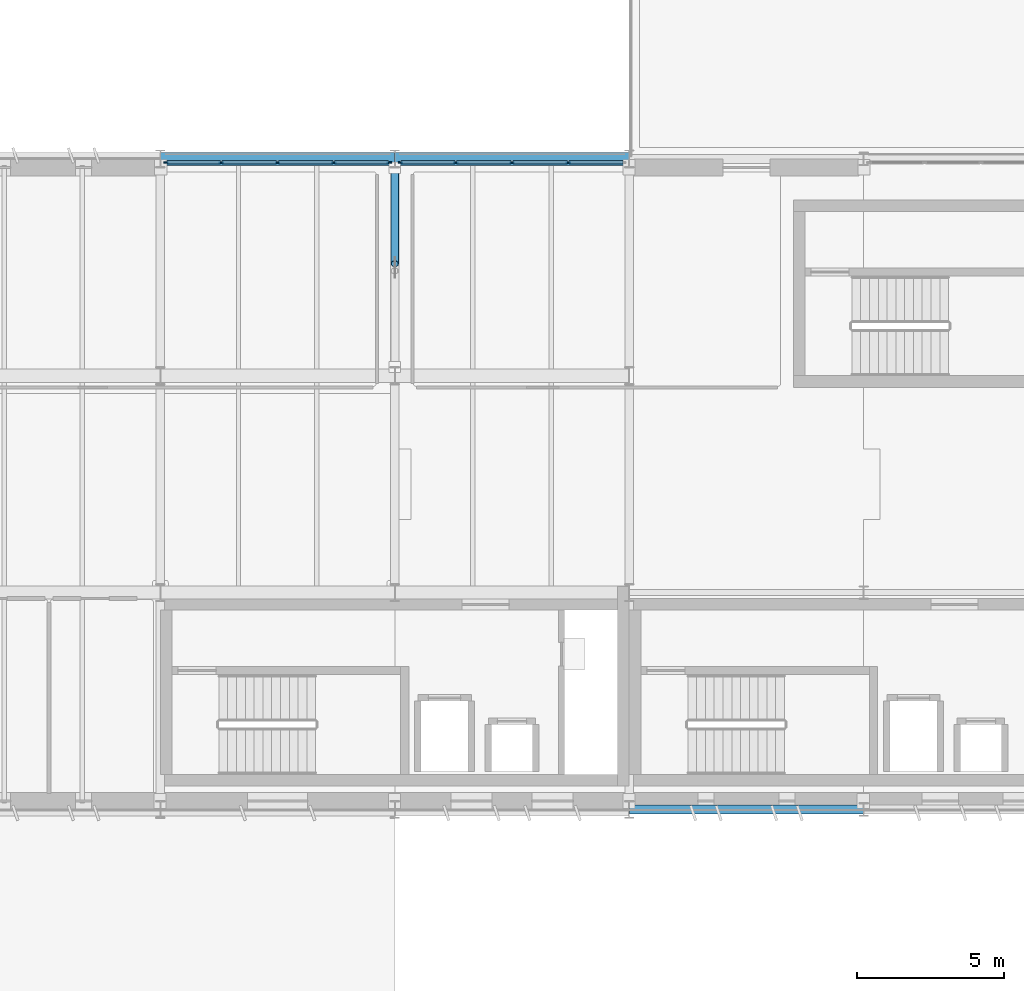
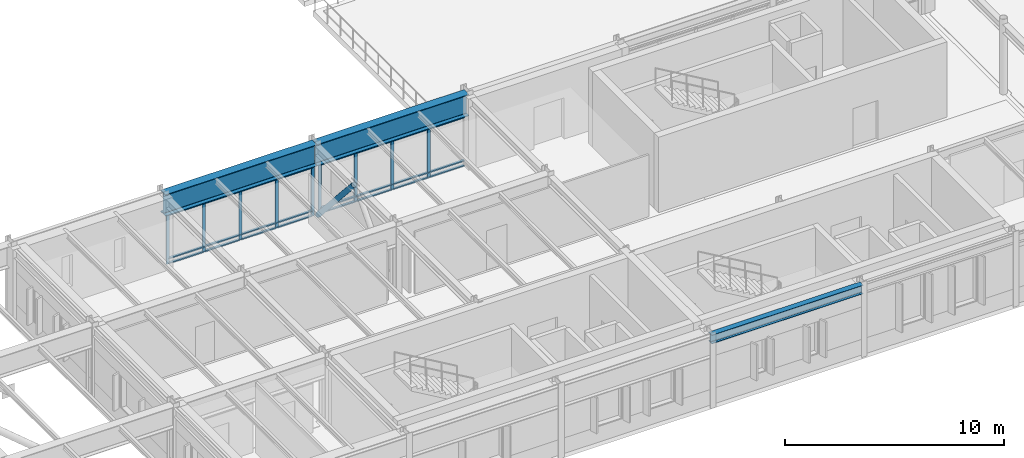
# One storey, part 17 of 63: 34 members, 3 beams, 2 elements without a shape of their own.
"""IFC4 building model written with IfcOpenShell, lengths in metres."""

from ifc_helpers import new_model, si_unit, direction, frame, origin, origin_2d, place, context, subcontext, project, spatial, rectangle, hollow_circle, i_section, extrude, material, layer, layer_set, material_profile, profile_set, type_object, element, aggregate, save


model = new_model("IFC4")

# Units and contexts
model_context = context("Model", 3, precision=1e-05, world=origin(), true_north=direction((0.0, 1.0)))
body_context = subcontext(model_context, "Body", "Model", "MODEL_VIEW")
ifc_project = project(units=[si_unit("LENGTHUNIT", "METRE"), si_unit("AREAUNIT", "SQUARE_METRE"), si_unit("VOLUMEUNIT", "CUBIC_METRE"), si_unit("PLANEANGLEUNIT", "RADIAN"), si_unit("MASSUNIT", "GRAM", prefix="KILO")], contexts=[model_context])

# Site, building, storey
site_placement = place(None, origin())
site = spatial("IfcSite", under=ifc_project, at=site_placement, CompositionType="ELEMENT")
building_placement = place(site_placement, origin())
building = spatial("IfcBuilding", under=site, at=building_placement, Name="Valkorina Park Police Headquarters", CompositionType="ELEMENT")
storey_placement = place(building_placement, frame((0.0, 0.0, 9.89990234375)))
storey = spatial("IfcBuildingStorey", under=building, at=storey_placement, Name="L03", CompositionType="ELEMENT", Elevation=9.89990234375)

# Beams
ifc_material_1 = material(Name="Steel S355", Category="steel")
ifc_material_profile_1 = material_profile(ifc_material_1, i_section(OverallWidth=0.300048828125, OverallDepth=0.489990234375, WebThickness=0.011962890625, FlangeThickness=0.02294921875, FilletRadius=0.027099609375, at=origin_2d()), Name="HEA 500")
ifc_profile_set_1 = profile_set([ifc_material_profile_1], Name="Steel S355")
beam_type_1 = type_object("IfcBeamType", Name="BM-S355-HEA500-SPN", PredefinedType="SPANDREL", material=ifc_profile_set_1)
beam_placement = place(storey_placement, frame((32.8076171875, 37.0, 3.710205078125), z_axis=(1.0, 0.0, 0.0), x_axis=(0.0, 1.0, 0.0)))
element("IfcBeam", 1, at=beam_placement, inside=storey, type_object=beam_type_1, Name="L03 Framing Beam 1856", PredefinedType="SPANDREL", context=body_context, shape_type="SweptSolid", body=[
    extrude(i_section(OverallWidth=0.300048828125, OverallDepth=0.489990234375, WebThickness=0.011962890625, FlangeThickness=0.02294921875, FilletRadius=0.027099609375, at=origin_2d()), origin(), (0.0, 0.0, 1.0), 7.9853515625),
])
ifc_material_profile_2 = material_profile(ifc_material_1, i_section(OverallWidth=0.449951171875, OverallDepth=1.199951171875, WebThickness=0.02001953125, FlangeThickness=0.034912109375, FilletRadius=0.02001953125, at=origin_2d()), Name="PG 1200x450")
ifc_profile_set_2 = profile_set([ifc_material_profile_2], Name="Steel S355")
beam_type_2 = type_object("IfcBeamType", Name="BM-S355-PG1200-EXT", PredefinedType="SPANDREL", material=ifc_profile_set_2)
for number, where, z_axis, x_axis, name in (
    (2, (16.8076171875, 59.199951171875, 3.35498046875), (1.0, 0.0, 0.0), (0.0, 1.0, 0.0), "L03 Framing Beam 1899"),
    (3, (24.8076171875, 59.199951171875, 3.35498046875), (1.0, 0.0, 0.0), (0.0, 1.0, 0.0), "L03 Framing Beam 1900"),
):
    element("IfcBeam", number, at=place(storey_placement, frame(where, z_axis=z_axis, x_axis=x_axis)), inside=storey, type_object=beam_type_2, Name=name, PredefinedType="SPANDREL", context=body_context, shape_type="SweptSolid", body=[
        extrude(i_section(OverallWidth=0.449951171875, OverallDepth=1.199951171875, WebThickness=0.02001953125, FlangeThickness=0.034912109375, FilletRadius=0.02001953125, at=origin_2d()), origin(), (0.0, 0.0, 1.0), 7.984619140625),
    ])

# Curtain wall, members
ifc_material_2 = material(Name="Thermally broken aluminium AW-6060", Category="aluminium")
ifc_layer = layer(ifc_material_2, 0.18994140625)
ifc_layer_set = layer_set([ifc_layer], Name="Thermally broken aluminium AW-6060")
curtain_wall_type = type_object("IfcCurtainWallType", Name="CW-COURT-7680x2740", PredefinedType="NOTDEFINED", material=ifc_layer_set)
curtain_wall_1_placement = place(storey_placement, origin())
curtain_wall_1 = element("IfcCurtainWall", 4, at=curtain_wall_1_placement, inside=storey, type_object=curtain_wall_type, Name="L03 Unitised Curtain Wall 016", PredefinedType="NOTDEFINED")
ifc_material_profile_3 = material_profile(ifc_material_2, rectangle(XDim=0.06005859375, YDim=0.159912109375, at=origin_2d()), Name="CWM-01 60x160")
ifc_profile_set_3 = profile_set([ifc_material_profile_3], Name="Thermally broken aluminium AW-6060")
member_type_1 = type_object("IfcMemberType", Name="CWM-60x160", PredefinedType="MULLION", material=ifc_profile_set_3)
member_1_placement = place(storey_placement, frame((16.989990234375, 59.080078125, 0.0), z_axis=(0.0, 0.0, 1.0), x_axis=(0.0, 1.0, 0.0)))
member_1 = element("IfcMember", 5, at=member_1_placement, type_object=member_type_1, Name="CW-COURT-768-274 mullion 1", PredefinedType="MULLION", context=body_context, shape_type="SweptSolid", body=[
    extrude(rectangle(XDim=0.06005859375, YDim=0.159912109375, at=origin_2d()), origin(), (0.0, 0.0, 1.0), 2.7451171875),
])
member_2_placement = place(storey_placement, frame((18.8798828125, 59.080078125, 0.0), z_axis=(0.0, 0.0, 1.0), x_axis=(0.0, 1.0, 0.0)))
member_2 = element("IfcMember", 6, at=member_2_placement, type_object=member_type_1, Name="CW-COURT-768-274 mullion 2", PredefinedType="MULLION", context=body_context, shape_type="SweptSolid", body=[
    extrude(rectangle(XDim=0.06005859375, YDim=0.159912109375, at=origin_2d()), origin(), (0.0, 0.0, 1.0), 2.7451171875),
])
member_3_placement = place(storey_placement, frame((20.800048828125, 59.080078125, 0.0), z_axis=(0.0, 0.0, 1.0), x_axis=(0.0, 1.0, 0.0)))
member_3 = element("IfcMember", 7, at=member_3_placement, type_object=member_type_1, Name="CW-COURT-768-274 mullion 3", PredefinedType="MULLION", context=body_context, shape_type="SweptSolid", body=[
    extrude(rectangle(XDim=0.06005859375, YDim=0.159912109375, at=origin_2d()), origin(), (0.0, 0.0, 1.0), 2.7451171875),
])
member_4_placement = place(storey_placement, frame((22.719970703125, 59.080078125, 0.0), z_axis=(0.0, 0.0, 1.0), x_axis=(0.0, 1.0, 0.0)))
member_4 = element("IfcMember", 8, at=member_4_placement, type_object=member_type_1, Name="CW-COURT-768-274 mullion 4", PredefinedType="MULLION", context=body_context, shape_type="SweptSolid", body=[
    extrude(rectangle(XDim=0.06005859375, YDim=0.159912109375, at=origin_2d()), origin(), (0.0, 0.0, 1.0), 2.7451171875),
])
member_5_placement = place(storey_placement, frame((24.610107421875, 59.080078125, 0.0), z_axis=(0.0, 0.0, 1.0), x_axis=(0.0, 1.0, 0.0)))
member_5 = element("IfcMember", 9, at=member_5_placement, type_object=member_type_1, Name="CW-COURT-768-274 mullion 5", PredefinedType="MULLION", context=body_context, shape_type="SweptSolid", body=[
    extrude(rectangle(XDim=0.06005859375, YDim=0.159912109375, at=origin_2d()), origin(), (0.0, 0.0, 1.0), 2.7451171875),
])

curtain_wall_2_placement = place(storey_placement, origin())
curtain_wall_2 = element("IfcCurtainWall", 10, at=curtain_wall_2_placement, inside=storey, type_object=curtain_wall_type, Name="L03 Unitised Curtain Wall 017", PredefinedType="NOTDEFINED")
member_6_placement = place(storey_placement, frame((24.989990234375, 59.080078125, 0.0), z_axis=(0.0, 0.0, 1.0), x_axis=(0.0, 1.0, 0.0)))
member_6 = element("IfcMember", 11, at=member_6_placement, type_object=member_type_1, Name="CW-COURT-768-274 mullion 1", PredefinedType="MULLION", context=body_context, shape_type="SweptSolid", body=[
    extrude(rectangle(XDim=0.06005859375, YDim=0.159912109375, at=origin_2d()), origin(), (0.0, 0.0, 1.0), 2.7451171875),
])
member_7_placement = place(storey_placement, frame((26.8798828125, 59.080078125, 0.0), z_axis=(0.0, 0.0, 1.0), x_axis=(0.0, 1.0, 0.0)))
member_7 = element("IfcMember", 12, at=member_7_placement, type_object=member_type_1, Name="CW-COURT-768-274 mullion 2", PredefinedType="MULLION", context=body_context, shape_type="SweptSolid", body=[
    extrude(rectangle(XDim=0.06005859375, YDim=0.159912109375, at=origin_2d()), origin(), (0.0, 0.0, 1.0), 2.7451171875),
])
member_8_placement = place(storey_placement, frame((28.800048828125, 59.080078125, 0.0), z_axis=(0.0, 0.0, 1.0), x_axis=(0.0, 1.0, 0.0)))
member_8 = element("IfcMember", 13, at=member_8_placement, type_object=member_type_1, Name="CW-COURT-768-274 mullion 3", PredefinedType="MULLION", context=body_context, shape_type="SweptSolid", body=[
    extrude(rectangle(XDim=0.06005859375, YDim=0.159912109375, at=origin_2d()), origin(), (0.0, 0.0, 1.0), 2.7451171875),
])
member_9_placement = place(storey_placement, frame((30.719970703125, 59.080078125, 0.0), z_axis=(0.0, 0.0, 1.0), x_axis=(0.0, 1.0, 0.0)))
member_9 = element("IfcMember", 14, at=member_9_placement, type_object=member_type_1, Name="CW-COURT-768-274 mullion 4", PredefinedType="MULLION", context=body_context, shape_type="SweptSolid", body=[
    extrude(rectangle(XDim=0.06005859375, YDim=0.159912109375, at=origin_2d()), origin(), (0.0, 0.0, 1.0), 2.7451171875),
])

# Member
ifc_material_profile_4 = material_profile(ifc_material_2, rectangle(XDim=0.1201171875, YDim=0.06005859375, at=origin_2d()), Name="CWT-01 120x60")
ifc_profile_set_4 = profile_set([ifc_material_profile_4], Name="Thermally broken aluminium AW-6060")
member_type_2 = type_object("IfcMemberType", Name="CWT-120x60", PredefinedType="USERDEFINED", material=ifc_profile_set_4)
member_10_placement = place(storey_placement, frame((17.02001953125, 59.080078125, 0.030029296875), z_axis=(1.0, 0.0, 0.0), x_axis=(0.0, 1.0, 0.0)))
member_10 = element("IfcMember", 15, at=member_10_placement, type_object=member_type_2, Name="CW-COURT-768-274 transom 1.1", ObjectType="TRANSOM", PredefinedType="USERDEFINED", context=body_context, shape_type="SweptSolid", body=[
    extrude(rectangle(XDim=0.1201171875, YDim=0.06005859375, at=origin_2d()), origin(), (0.0, 0.0, 1.0), 1.830078125),
])

member_11_placement = place(storey_placement, frame((17.02001953125, 59.080078125, 0.300048828125), z_axis=(1.0, 0.0, 0.0), x_axis=(0.0, 1.0, 0.0)))
member_11 = element("IfcMember", 16, at=member_11_placement, type_object=member_type_2, Name="CW-COURT-768-274 transom 1.2", ObjectType="TRANSOM", PredefinedType="USERDEFINED", context=body_context, shape_type="SweptSolid", body=[
    extrude(rectangle(XDim=0.1201171875, YDim=0.06005859375, at=origin_2d()), origin(), (0.0, 0.0, 1.0), 1.830078125),
])

member_12_placement = place(storey_placement, frame((17.02001953125, 59.080078125, 2.715087890625), z_axis=(1.0, 0.0, 0.0), x_axis=(0.0, 1.0, 0.0)))
member_12 = element("IfcMember", 17, at=member_12_placement, type_object=member_type_2, Name="CW-COURT-768-274 transom 1.3", ObjectType="TRANSOM", PredefinedType="USERDEFINED", context=body_context, shape_type="SweptSolid", body=[
    extrude(rectangle(XDim=0.1201171875, YDim=0.06005859375, at=origin_2d()), origin(), (0.0, 0.0, 1.0), 1.830078125),
])

member_13_placement = place(storey_placement, frame((18.909912109375, 59.080078125, 0.030029296875), z_axis=(1.0, 0.0, 0.0), x_axis=(0.0, 1.0, 0.0)))
member_13 = element("IfcMember", 18, at=member_13_placement, type_object=member_type_2, Name="CW-COURT-768-274 transom 2.1", ObjectType="TRANSOM", PredefinedType="USERDEFINED", context=body_context, shape_type="SweptSolid", body=[
    extrude(rectangle(XDim=0.1201171875, YDim=0.06005859375, at=origin_2d()), origin(), (0.0, 0.0, 1.0), 1.860107421875),
])

member_14_placement = place(storey_placement, frame((18.909912109375, 59.080078125, 0.300048828125), z_axis=(1.0, 0.0, 0.0), x_axis=(0.0, 1.0, 0.0)))
member_14 = element("IfcMember", 19, at=member_14_placement, type_object=member_type_2, Name="CW-COURT-768-274 transom 2.2", ObjectType="TRANSOM", PredefinedType="USERDEFINED", context=body_context, shape_type="SweptSolid", body=[
    extrude(rectangle(XDim=0.1201171875, YDim=0.06005859375, at=origin_2d()), origin(), (0.0, 0.0, 1.0), 1.860107421875),
])

member_15_placement = place(storey_placement, frame((18.909912109375, 59.080078125, 2.715087890625), z_axis=(1.0, 0.0, 0.0), x_axis=(0.0, 1.0, 0.0)))
member_15 = element("IfcMember", 20, at=member_15_placement, type_object=member_type_2, Name="CW-COURT-768-274 transom 2.3", ObjectType="TRANSOM", PredefinedType="USERDEFINED", context=body_context, shape_type="SweptSolid", body=[
    extrude(rectangle(XDim=0.1201171875, YDim=0.06005859375, at=origin_2d()), origin(), (0.0, 0.0, 1.0), 1.860107421875),
])

member_16_placement = place(storey_placement, frame((20.830078125, 59.080078125, 0.030029296875), z_axis=(1.0, 0.0, 0.0), x_axis=(0.0, 1.0, 0.0)))
member_16 = element("IfcMember", 21, at=member_16_placement, type_object=member_type_2, Name="CW-COURT-768-274 transom 3.1", ObjectType="TRANSOM", PredefinedType="USERDEFINED", context=body_context, shape_type="SweptSolid", body=[
    extrude(rectangle(XDim=0.1201171875, YDim=0.06005859375, at=origin_2d()), origin(), (0.0, 0.0, 1.0), 1.85986328125),
])

member_17_placement = place(storey_placement, frame((20.830078125, 59.080078125, 0.300048828125), z_axis=(1.0, 0.0, 0.0), x_axis=(0.0, 1.0, 0.0)))
member_17 = element("IfcMember", 22, at=member_17_placement, type_object=member_type_2, Name="CW-COURT-768-274 transom 3.2", ObjectType="TRANSOM", PredefinedType="USERDEFINED", context=body_context, shape_type="SweptSolid", body=[
    extrude(rectangle(XDim=0.1201171875, YDim=0.06005859375, at=origin_2d()), origin(), (0.0, 0.0, 1.0), 1.85986328125),
])

member_18_placement = place(storey_placement, frame((20.830078125, 59.080078125, 2.715087890625), z_axis=(1.0, 0.0, 0.0), x_axis=(0.0, 1.0, 0.0)))
member_18 = element("IfcMember", 23, at=member_18_placement, type_object=member_type_2, Name="CW-COURT-768-274 transom 3.3", ObjectType="TRANSOM", PredefinedType="USERDEFINED", context=body_context, shape_type="SweptSolid", body=[
    extrude(rectangle(XDim=0.1201171875, YDim=0.06005859375, at=origin_2d()), origin(), (0.0, 0.0, 1.0), 1.85986328125),
])

member_19_placement = place(storey_placement, frame((22.75, 59.080078125, 0.030029296875), z_axis=(1.0, 0.0, 0.0), x_axis=(0.0, 1.0, 0.0)))
member_19 = element("IfcMember", 24, at=member_19_placement, type_object=member_type_2, Name="CW-COURT-768-274 transom 4.1", ObjectType="TRANSOM", PredefinedType="USERDEFINED", context=body_context, shape_type="SweptSolid", body=[
    extrude(rectangle(XDim=0.1201171875, YDim=0.06005859375, at=origin_2d()), origin(), (0.0, 0.0, 1.0), 1.830078125),
])

member_20_placement = place(storey_placement, frame((22.75, 59.080078125, 0.300048828125), z_axis=(1.0, 0.0, 0.0), x_axis=(0.0, 1.0, 0.0)))
member_20 = element("IfcMember", 25, at=member_20_placement, type_object=member_type_2, Name="CW-COURT-768-274 transom 4.2", ObjectType="TRANSOM", PredefinedType="USERDEFINED", context=body_context, shape_type="SweptSolid", body=[
    extrude(rectangle(XDim=0.1201171875, YDim=0.06005859375, at=origin_2d()), origin(), (0.0, 0.0, 1.0), 1.830078125),
])

member_21_placement = place(storey_placement, frame((22.75, 59.080078125, 2.715087890625), z_axis=(1.0, 0.0, 0.0), x_axis=(0.0, 1.0, 0.0)))
member_21 = element("IfcMember", 26, at=member_21_placement, type_object=member_type_2, Name="CW-COURT-768-274 transom 4.3", ObjectType="TRANSOM", PredefinedType="USERDEFINED", context=body_context, shape_type="SweptSolid", body=[
    extrude(rectangle(XDim=0.1201171875, YDim=0.06005859375, at=origin_2d()), origin(), (0.0, 0.0, 1.0), 1.830078125),
])

aggregate(curtain_wall_1, [member_1, member_2, member_3, member_4, member_5, member_10, member_11, member_12, member_13, member_14, member_15, member_16, member_17, member_18, member_19, member_20, member_21])

member_22_placement = place(storey_placement, frame((25.02001953125, 59.080078125, 0.030029296875), z_axis=(1.0, 0.0, 0.0), x_axis=(0.0, 1.0, 0.0)))
member_22 = element("IfcMember", 27, at=member_22_placement, type_object=member_type_2, Name="CW-COURT-768-274 transom 1.1", ObjectType="TRANSOM", PredefinedType="USERDEFINED", context=body_context, shape_type="SweptSolid", body=[
    extrude(rectangle(XDim=0.1201171875, YDim=0.06005859375, at=origin_2d()), origin(), (0.0, 0.0, 1.0), 1.830078125),
])

member_23_placement = place(storey_placement, frame((25.02001953125, 59.080078125, 0.300048828125), z_axis=(1.0, 0.0, 0.0), x_axis=(0.0, 1.0, 0.0)))
member_23 = element("IfcMember", 28, at=member_23_placement, type_object=member_type_2, Name="CW-COURT-768-274 transom 1.2", ObjectType="TRANSOM", PredefinedType="USERDEFINED", context=body_context, shape_type="SweptSolid", body=[
    extrude(rectangle(XDim=0.1201171875, YDim=0.06005859375, at=origin_2d()), origin(), (0.0, 0.0, 1.0), 1.830078125),
])

member_24_placement = place(storey_placement, frame((25.02001953125, 59.080078125, 2.715087890625), z_axis=(1.0, 0.0, 0.0), x_axis=(0.0, 1.0, 0.0)))
member_24 = element("IfcMember", 29, at=member_24_placement, type_object=member_type_2, Name="CW-COURT-768-274 transom 1.3", ObjectType="TRANSOM", PredefinedType="USERDEFINED", context=body_context, shape_type="SweptSolid", body=[
    extrude(rectangle(XDim=0.1201171875, YDim=0.06005859375, at=origin_2d()), origin(), (0.0, 0.0, 1.0), 1.830078125),
])

member_25_placement = place(storey_placement, frame((26.909912109375, 59.080078125, 0.030029296875), z_axis=(1.0, 0.0, 0.0), x_axis=(0.0, 1.0, 0.0)))
member_25 = element("IfcMember", 30, at=member_25_placement, type_object=member_type_2, Name="CW-COURT-768-274 transom 2.1", ObjectType="TRANSOM", PredefinedType="USERDEFINED", context=body_context, shape_type="SweptSolid", body=[
    extrude(rectangle(XDim=0.1201171875, YDim=0.06005859375, at=origin_2d()), origin(), (0.0, 0.0, 1.0), 1.860107421875),
])

member_26_placement = place(storey_placement, frame((26.909912109375, 59.080078125, 0.300048828125), z_axis=(1.0, 0.0, 0.0), x_axis=(0.0, 1.0, 0.0)))
member_26 = element("IfcMember", 31, at=member_26_placement, type_object=member_type_2, Name="CW-COURT-768-274 transom 2.2", ObjectType="TRANSOM", PredefinedType="USERDEFINED", context=body_context, shape_type="SweptSolid", body=[
    extrude(rectangle(XDim=0.1201171875, YDim=0.06005859375, at=origin_2d()), origin(), (0.0, 0.0, 1.0), 1.860107421875),
])

member_27_placement = place(storey_placement, frame((26.909912109375, 59.080078125, 2.715087890625), z_axis=(1.0, 0.0, 0.0), x_axis=(0.0, 1.0, 0.0)))
member_27 = element("IfcMember", 32, at=member_27_placement, type_object=member_type_2, Name="CW-COURT-768-274 transom 2.3", ObjectType="TRANSOM", PredefinedType="USERDEFINED", context=body_context, shape_type="SweptSolid", body=[
    extrude(rectangle(XDim=0.1201171875, YDim=0.06005859375, at=origin_2d()), origin(), (0.0, 0.0, 1.0), 1.860107421875),
])

member_28_placement = place(storey_placement, frame((28.830078125, 59.080078125, 0.030029296875), z_axis=(1.0, 0.0, 0.0), x_axis=(0.0, 1.0, 0.0)))
member_28 = element("IfcMember", 33, at=member_28_placement, type_object=member_type_2, Name="CW-COURT-768-274 transom 3.1", ObjectType="TRANSOM", PredefinedType="USERDEFINED", context=body_context, shape_type="SweptSolid", body=[
    extrude(rectangle(XDim=0.1201171875, YDim=0.06005859375, at=origin_2d()), origin(), (0.0, 0.0, 1.0), 1.85986328125),
])

member_29_placement = place(storey_placement, frame((28.830078125, 59.080078125, 0.300048828125), z_axis=(1.0, 0.0, 0.0), x_axis=(0.0, 1.0, 0.0)))
member_29 = element("IfcMember", 34, at=member_29_placement, type_object=member_type_2, Name="CW-COURT-768-274 transom 3.2", ObjectType="TRANSOM", PredefinedType="USERDEFINED", context=body_context, shape_type="SweptSolid", body=[
    extrude(rectangle(XDim=0.1201171875, YDim=0.06005859375, at=origin_2d()), origin(), (0.0, 0.0, 1.0), 1.85986328125),
])

member_30_placement = place(storey_placement, frame((28.830078125, 59.080078125, 2.715087890625), z_axis=(1.0, 0.0, 0.0), x_axis=(0.0, 1.0, 0.0)))
member_30 = element("IfcMember", 35, at=member_30_placement, type_object=member_type_2, Name="CW-COURT-768-274 transom 3.3", ObjectType="TRANSOM", PredefinedType="USERDEFINED", context=body_context, shape_type="SweptSolid", body=[
    extrude(rectangle(XDim=0.1201171875, YDim=0.06005859375, at=origin_2d()), origin(), (0.0, 0.0, 1.0), 1.85986328125),
])

member_31_placement = place(storey_placement, frame((30.75, 59.080078125, 0.030029296875), z_axis=(1.0, 0.0, 0.0), x_axis=(0.0, 1.0, 0.0)))
member_31 = element("IfcMember", 36, at=member_31_placement, type_object=member_type_2, Name="CW-COURT-768-274 transom 4.1", ObjectType="TRANSOM", PredefinedType="USERDEFINED", context=body_context, shape_type="SweptSolid", body=[
    extrude(rectangle(XDim=0.1201171875, YDim=0.06005859375, at=origin_2d()), origin(), (0.0, 0.0, 1.0), 1.830078125),
])

member_32_placement = place(storey_placement, frame((30.75, 59.080078125, 0.300048828125), z_axis=(1.0, 0.0, 0.0), x_axis=(0.0, 1.0, 0.0)))
member_32 = element("IfcMember", 37, at=member_32_placement, type_object=member_type_2, Name="CW-COURT-768-274 transom 4.2", ObjectType="TRANSOM", PredefinedType="USERDEFINED", context=body_context, shape_type="SweptSolid", body=[
    extrude(rectangle(XDim=0.1201171875, YDim=0.06005859375, at=origin_2d()), origin(), (0.0, 0.0, 1.0), 1.830078125),
])

member_33_placement = place(storey_placement, frame((30.75, 59.080078125, 2.715087890625), z_axis=(1.0, 0.0, 0.0), x_axis=(0.0, 1.0, 0.0)))
member_33 = element("IfcMember", 38, at=member_33_placement, type_object=member_type_2, Name="CW-COURT-768-274 transom 4.3", ObjectType="TRANSOM", PredefinedType="USERDEFINED", context=body_context, shape_type="SweptSolid", body=[
    extrude(rectangle(XDim=0.1201171875, YDim=0.06005859375, at=origin_2d()), origin(), (0.0, 0.0, 1.0), 1.830078125),
])

aggregate(curtain_wall_2, [member_6, member_7, member_8, member_9, member_22, member_23, member_24, member_25, member_26, member_27, member_28, member_29, member_30, member_31, member_32, member_33])

ifc_material_profile_5 = material_profile(ifc_material_1, hollow_circle(Radius=0.136474609375, WallThickness=0.012451171875, at=origin_2d()), Name="CHS 273x12.5")
ifc_profile_set_5 = profile_set([ifc_material_profile_5], Name="Steel S355")
member_type_3 = type_object("IfcMemberType", Name="MB-S355-CHS273-BRC", PredefinedType="BRACE", material=ifc_profile_set_5)
member_34_placement = place(storey_placement, frame((24.800048828125, 58.89990234375, 0.10009765625), z_axis=(0.0, -0.667374056113, 0.74472267941), x_axis=(1.0, 0.0, 0.0)))
element("IfcMember", 39, at=member_34_placement, inside=storey, type_object=member_type_3, Name="L03 Concentric Chevron Brace 008", PredefinedType="BRACE", context=body_context, shape_type="SweptSolid", body=[
    extrude(hollow_circle(Radius=0.136474609375, WallThickness=0.012451171875, at=origin_2d()), origin(), (0.0, 0.0, 1.0), 4.91455078125),
])

save(model, "model.ifc")
